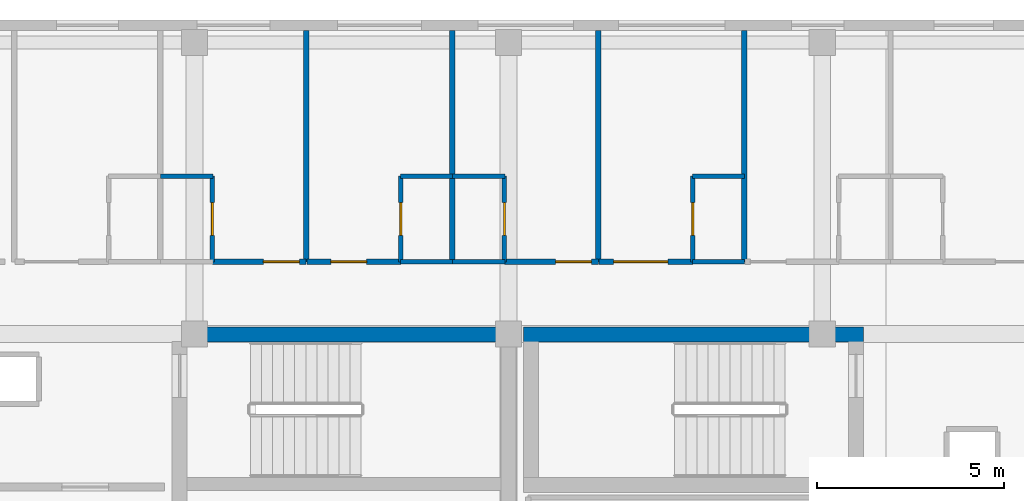
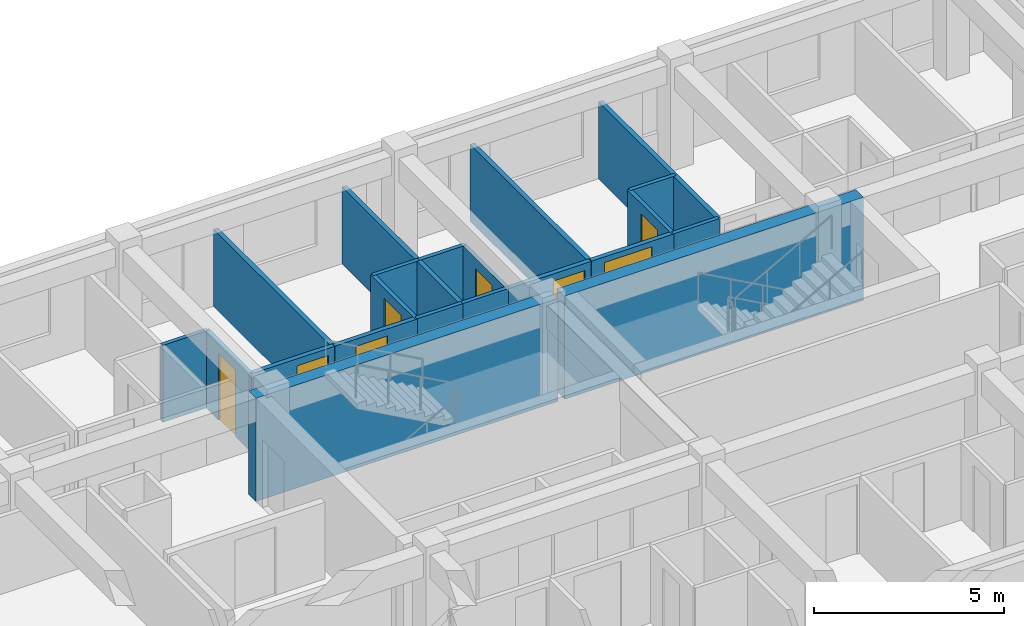
# One storey, part 4 of 11: 21 walls, 8 doors, 8 openings.
"""IFC4 building model written with IfcOpenShell, lengths in metres."""

from ifc_helpers import new_model, si_unit, direction, frame, frame_2d, origin, place, context, subcontext, project, spatial, rectangle, extrude, material, layer, layer_set, type_object, element, fill, save


model = new_model("IFC4")

# Units and contexts
model_context = context("Model", 3, precision=1e-05, world=origin(), true_north=direction((0.0, 1.0)))
body_context = subcontext(model_context, "Body", "Model", "MODEL_VIEW")
ifc_project = project(units=[si_unit("LENGTHUNIT", "METRE"), si_unit("AREAUNIT", "SQUARE_METRE"), si_unit("VOLUMEUNIT", "CUBIC_METRE"), si_unit("PLANEANGLEUNIT", "RADIAN"), si_unit("MASSUNIT", "GRAM", prefix="KILO")], contexts=[model_context])

# Site, building, storey
site_placement = place(None, origin())
site = spatial("IfcSite", under=ifc_project, at=site_placement, CompositionType="ELEMENT")
building_placement = place(site_placement, origin())
building = spatial("IfcBuilding", under=site, at=building_placement, Name="Zayran Congress Hotel", CompositionType="ELEMENT")
storey_placement = place(building_placement, frame((0.0, 0.0, 26.39990234375)))
storey = spatial("IfcBuildingStorey", under=building, at=storey_placement, Name="L06", CompositionType="ELEMENT", Elevation=26.39990234375)

# Walls
ifc_material_1 = material(Name="Concrete C40/50", Category="concrete")
ifc_layer_1 = layer(ifc_material_1, 0.39990234375)
ifc_layer_set_1 = layer_set([ifc_layer_1], Name="Concrete C40/50")
wall_type_1 = type_object("IfcWallType", Name="WL-SH-400", PredefinedType="SHEAR", material=ifc_layer_set_1)
wall_1_placement = place(storey_placement, frame((33.800048828125, 25.5849609375, 0.0), z_axis=(0.0, 0.0, 1.0), x_axis=(-1.0, 0.0, 0.0)))
element("IfcWall", 1, at=wall_1_placement, inside=storey, type_object=wall_type_1, Name="CWALL-C-V5W-L06-N", PredefinedType="SHEAR", context=body_context, shape_type="SweptSolid", body=[
    extrude(rectangle(XDim=9.199951171875, YDim=0.39990234375, at=frame_2d((4.60009765625, 0.0))), origin(), (0.0, 0.0, 1.0), 3.320068359375),
])
wall_2_placement = place(storey_placement, frame((43.10009765625, 25.5849609375, 0.0), z_axis=(0.0, 0.0, 1.0), x_axis=(-1.0, 0.0, 0.0)))
element("IfcWall", 2, at=wall_2_placement, inside=storey, type_object=wall_type_1, Name="CWALL-C-V5M-L06-N", PredefinedType="SHEAR", context=body_context, shape_type="SweptSolid", body=[
    extrude(rectangle(XDim=9.10009765625, YDim=0.39990234375, at=frame_2d((4.550048828125, 0.0))), origin(), (0.0, 0.0, 1.0), 3.320068359375),
])

# Wall, opening, door
ifc_material_2 = material(Name="Hospitality guestroom acoustic partition", Category="gypsum")
ifc_layer_2 = layer(ifc_material_2, 0.139892578125)
ifc_layer_set_2 = layer_set([ifc_layer_2], Name="Hospitality guestroom acoustic partition")
wall_type_2 = type_object("IfcWallType", Name="WL-PT-140", PredefinedType="PARTITIONING", material=ifc_layer_set_2)
wall_3_placement = place(storey_placement, frame((25.676025390625, 27.530029296875, 0.0), z_axis=(0.0, 0.0, 1.0), x_axis=(1.0, 0.0, 0.0)))
wall_3 = element("IfcWall", 3, at=wall_3_placement, inside=storey, type_object=wall_type_2, Name="IW-L06-0709", PredefinedType="PARTITIONING", context=body_context, shape_type="SweptSolid", body=[
    extrude(rectangle(XDim=2.510986328125, YDim=0.139892578125, at=frame_2d((1.25537109375, 0.0))), origin(), (0.0, 0.0, 1.0), 2.47998046875),
])
opening_1_placement = place(wall_3_placement, frame((1.365966796875, 0.0, 0.0)))
opening_1 = element("IfcOpeningElement", 4, at=opening_1_placement, cuts=wall_3, Name="Opening DR-GR-03", PredefinedType="OPENING", context=body_context, shape_type="SweptSolid", body=[
    extrude(rectangle(XDim=0.9599609375, YDim=2.25, at=frame_2d((0.47998046875, 1.125))), frame((0.0, 0.079833984375, 0.0), z_axis=(0.0, -1.0, 0.0), x_axis=(1.0, 0.0, 0.0)), (0.0, 0.0, 1.0), 0.159912109375),
])
ifc_material_3 = material(Name="Executive walnut veneer entry door", Category="wood")
door_type_1 = type_object("IfcDoorType", Name="TP-DR-GR-03", OperationType="NOTDEFINED", PredefinedType="DOOR", material=ifc_material_3)
door_1_placement = place(opening_1_placement, origin())
door_1 = element("IfcDoor", 5, at=door_1_placement, inside=storey, type_object=door_type_1, Name="Guest Room L06-16 Door", OperationType="SINGLE_SWING_RIGHT", OverallHeight=2.25, OverallWidth=0.9599609375, PredefinedType="DOOR", context=body_context, shape_type="SweptSolid", body=[
    extrude(rectangle(XDim=0.9599609375, YDim=2.25, at=frame_2d((0.47998046875, 1.125))), frame((0.0, 0.02490234375, 0.0), z_axis=(0.0, -1.0, 0.0), x_axis=(1.0, 0.0, 0.0)), (0.0, 0.0, 1.0), 0.050048828125),
])
fill(opening_1, door_1)

wall_4_placement = place(storey_placement, frame((28.20703125, 27.530029296875, 0.0), z_axis=(0.0, 0.0, 1.0), x_axis=(1.0, 0.0, 0.0)))
wall_4 = element("IfcWall", 6, at=wall_4_placement, inside=storey, type_object=wall_type_2, Name="IW-L06-0710", PredefinedType="PARTITIONING", context=body_context, shape_type="SweptSolid", body=[
    extrude(rectangle(XDim=2.511962890625, YDim=0.139892578125, at=frame_2d((1.255859375, 0.0))), origin(), (0.0, 0.0, 1.0), 2.47998046875),
])
opening_2_placement = place(wall_4_placement, frame((0.639892578125, 0.0, 0.0)))
opening_2 = element("IfcOpeningElement", 7, at=opening_2_placement, cuts=wall_4, Name="Opening DR-GR-03", PredefinedType="OPENING", context=body_context, shape_type="SweptSolid", body=[
    extrude(rectangle(XDim=0.9599609375, YDim=2.25, at=frame_2d((0.47998046875, 1.125))), frame((0.0, 0.079833984375, 0.0), z_axis=(0.0, -1.0, 0.0), x_axis=(1.0, 0.0, 0.0)), (0.0, 0.0, 1.0), 0.159912109375),
])
door_2_placement = place(opening_2_placement, origin())
door_2 = element("IfcDoor", 8, at=door_2_placement, inside=storey, type_object=door_type_1, Name="Guest Room L06-17 Door", OperationType="SINGLE_SWING_LEFT", OverallHeight=2.25, OverallWidth=0.9599609375, PredefinedType="DOOR", context=body_context, shape_type="SweptSolid", body=[
    extrude(rectangle(XDim=0.9599609375, YDim=2.25, at=frame_2d((0.47998046875, 1.125))), frame((0.0, 0.02490234375, 0.0), z_axis=(0.0, -1.0, 0.0), x_axis=(1.0, 0.0, 0.0)), (0.0, 0.0, 1.0), 0.050048828125),
])
fill(opening_2, door_2)

wall_5_placement = place(storey_placement, frame((33.492919921875, 27.530029296875, 0.0), z_axis=(0.0, 0.0, 1.0), x_axis=(1.0, 0.0, 0.0)))
wall_5 = element("IfcWall", 9, at=wall_5_placement, inside=storey, type_object=wall_type_2, Name="IW-L06-0711", PredefinedType="PARTITIONING", context=body_context, shape_type="SweptSolid", body=[
    extrude(rectangle(XDim=2.510986328125, YDim=0.139892578125, at=frame_2d((1.25537109375, 0.0))), origin(), (0.0, 0.0, 1.0), 2.47998046875),
])
opening_3_placement = place(wall_5_placement, frame((1.365966796875, 0.0, 0.0)))
opening_3 = element("IfcOpeningElement", 10, at=opening_3_placement, cuts=wall_5, Name="Opening DR-GR-03", PredefinedType="OPENING", context=body_context, shape_type="SweptSolid", body=[
    extrude(rectangle(XDim=0.9599609375, YDim=2.25, at=frame_2d((0.47998046875, 1.125))), frame((0.0, 0.079833984375, 0.0), z_axis=(0.0, -1.0, 0.0), x_axis=(1.0, 0.0, 0.0)), (0.0, 0.0, 1.0), 0.159912109375),
])
door_3_placement = place(opening_3_placement, origin())
door_3 = element("IfcDoor", 11, at=door_3_placement, inside=storey, type_object=door_type_1, Name="Guest Room L06-18 Door", OperationType="SINGLE_SWING_RIGHT", OverallHeight=2.25, OverallWidth=0.9599609375, PredefinedType="DOOR", context=body_context, shape_type="SweptSolid", body=[
    extrude(rectangle(XDim=0.9599609375, YDim=2.25, at=frame_2d((0.47998046875, 1.125))), frame((0.0, 0.02490234375, 0.0), z_axis=(0.0, -1.0, 0.0), x_axis=(1.0, 0.0, 0.0)), (0.0, 0.0, 1.0), 0.050048828125),
])
fill(opening_3, door_3)

wall_6_placement = place(storey_placement, frame((36.02392578125, 27.530029296875, 0.0), z_axis=(0.0, 0.0, 1.0), x_axis=(1.0, 0.0, 0.0)))
wall_6 = element("IfcWall", 12, at=wall_6_placement, inside=storey, type_object=wall_type_2, Name="IW-L06-0712", PredefinedType="PARTITIONING", context=body_context, shape_type="SweptSolid", body=[
    extrude(rectangle(XDim=2.511962890625, YDim=0.139892578125, at=frame_2d((1.255859375, 0.0))), origin(), (0.0, 0.0, 1.0), 2.47998046875),
])
opening_4_placement = place(wall_6_placement, frame((0.39111328125, 0.0, 0.0)))
opening_4 = element("IfcOpeningElement", 13, at=opening_4_placement, cuts=wall_6, Name="Opening DR-ST-01", PredefinedType="OPENING", context=body_context, shape_type="SweptSolid", body=[
    extrude(rectangle(XDim=1.449951171875, YDim=2.300048828125, at=frame_2d((0.72509765625, 1.14990234375))), frame((0.0, 0.079833984375, 0.0), z_axis=(0.0, -1.0, 0.0), x_axis=(1.0, 0.0, 0.0)), (0.0, 0.0, 1.0), 0.159912109375),
])
ifc_material_4 = material(Name="Double walnut veneer suite entry door", Category="wood")
door_type_2 = type_object("IfcDoorType", Name="TP-DR-ST-01", OperationType="DOUBLE_DOOR_SINGLE_SWING", PredefinedType="DOOR", material=ifc_material_4)
door_4_placement = place(opening_4_placement, origin())
door_4 = element("IfcDoor", 14, at=door_4_placement, inside=storey, type_object=door_type_2, Name="Executive Suite L06-19 Door", OperationType="DOUBLE_DOOR_SINGLE_SWING", OverallHeight=2.300048828125, OverallWidth=1.449951171875, PredefinedType="DOOR", context=body_context, shape_type="SweptSolid", body=[
    extrude(rectangle(XDim=1.449951171875, YDim=2.300048828125, at=frame_2d((0.72509765625, 1.14990234375))), frame((0.0, 0.02490234375, 0.0), z_axis=(0.0, -1.0, 0.0), x_axis=(1.0, 0.0, 0.0)), (0.0, 0.0, 1.0), 0.050048828125),
])
fill(opening_4, door_4)

# Walls
for number, where, z_axis, x_axis, name in (
    (15, (28.18701171875, 27.52001953125, 0.0), (0.0, 0.0, 1.0), (0.0, 1.0, 0.0), "IW-L06-2039"),
    (16, (32.095947265625, 27.52001953125, 0.0), (0.0, 0.0, 1.0), (0.0, 1.0, 0.0), "IW-L06-2040"),
    (17, (36.00390625, 27.52001953125, 0.0), (0.0, 0.0, 1.0), (0.0, 1.0, 0.0), "IW-L06-2041"),
    (18, (39.9130859375, 27.52001953125, 0.0), (0.0, 0.0, 1.0), (0.0, 1.0, 0.0), "IW-L06-2042"),
):
    element("IfcWall", number, at=place(storey_placement, frame(where, z_axis=z_axis, x_axis=x_axis)), inside=storey, type_object=wall_type_2, Name=name, PredefinedType="PARTITIONING", context=body_context, shape_type="SweptSolid", body=[
        extrude(rectangle(XDim=6.199951171875, YDim=0.139892578125, at=frame_2d((3.10009765625, 0.0))), origin(), (0.0, 0.0, 1.0), 2.47998046875),
    ])

# Wall, opening, door
ifc_material_5 = material(Name="Moisture-resistant bathroom partition", Category="gypsum")
ifc_layer_3 = layer(ifc_material_5, 0.1201171875)
ifc_layer_set_3 = layer_set([ifc_layer_3], Name="Moisture-resistant bathroom partition")
wall_type_3 = type_object("IfcWallType", Name="WL-PT-120", PredefinedType="PARTITIONING", material=ifc_layer_set_3)
wall_7_placement = place(storey_placement, frame((25.676025390625, 27.52001953125, 0.0), z_axis=(0.0, 0.0, 1.0), x_axis=(0.0, 1.0, 0.0)))
wall_7 = element("IfcWall", 19, at=wall_7_placement, inside=storey, type_object=wall_type_3, Name="IW-L06-0206", PredefinedType="PARTITIONING", context=body_context, shape_type="SweptSolid", body=[
    extrude(rectangle(XDim=2.31005859375, YDim=0.1201171875, at=frame_2d((1.155029296875, 0.0))), origin(), (0.0, 0.0, 1.0), 2.47998046875),
])
opening_5_placement = place(wall_7_placement, frame((0.715087890625, 0.0, 0.0)))
opening_5 = element("IfcOpeningElement", 20, at=opening_5_placement, cuts=wall_7, Name="Opening DR-BT-01", PredefinedType="OPENING", context=body_context, shape_type="SweptSolid", body=[
    extrude(rectangle(XDim=0.8798828125, YDim=2.14990234375, at=frame_2d((0.43994140625, 1.074951171875))), frame((0.0, 0.070068359375, 0.0), z_axis=(0.0, -1.0, 0.0), x_axis=(1.0, 0.0, 0.0)), (0.0, 0.0, 1.0), 0.14013671875),
])
ifc_material_6 = material(Name="Moisture-resistant oak en-suite door", Category="wood")
door_type_3 = type_object("IfcDoorType", Name="TP-DR-BT-01", OperationType="NOTDEFINED", PredefinedType="DOOR", material=ifc_material_6)
door_5_placement = place(opening_5_placement, origin())
door_5 = element("IfcDoor", 21, at=door_5_placement, inside=storey, type_object=door_type_3, Name="En-Suite Bathroom L06-16 Door", OperationType="SINGLE_SWING_LEFT", OverallHeight=2.14990234375, OverallWidth=0.8798828125, PredefinedType="DOOR", context=body_context, shape_type="SweptSolid", body=[
    extrude(rectangle(XDim=0.8798828125, YDim=2.14990234375, at=frame_2d((0.43994140625, 1.074951171875))), frame((0.0, 0.02490234375, 0.0), z_axis=(0.0, -1.0, 0.0), x_axis=(1.0, 0.0, 0.0)), (0.0, 0.0, 1.0), 0.050048828125),
])
fill(opening_5, door_5)

wall_8_placement = place(storey_placement, frame((30.718994140625, 27.52001953125, 0.0), z_axis=(0.0, 0.0, 1.0), x_axis=(0.0, 1.0, 0.0)))
wall_8 = element("IfcWall", 22, at=wall_8_placement, inside=storey, type_object=wall_type_3, Name="IW-L06-0207", PredefinedType="PARTITIONING", context=body_context, shape_type="SweptSolid", body=[
    extrude(rectangle(XDim=2.31005859375, YDim=0.1201171875, at=frame_2d((1.155029296875, 0.0))), origin(), (0.0, 0.0, 1.0), 2.47998046875),
])
opening_6_placement = place(wall_8_placement, frame((0.715087890625, 0.0, 0.0)))
opening_6 = element("IfcOpeningElement", 23, at=opening_6_placement, cuts=wall_8, Name="Opening DR-BT-01", PredefinedType="OPENING", context=body_context, shape_type="SweptSolid", body=[
    extrude(rectangle(XDim=0.8798828125, YDim=2.14990234375, at=frame_2d((0.43994140625, 1.074951171875))), frame((0.0, 0.070068359375, 0.0), z_axis=(0.0, -1.0, 0.0), x_axis=(1.0, 0.0, 0.0)), (0.0, 0.0, 1.0), 0.14013671875),
])
door_6_placement = place(opening_6_placement, origin())
door_6 = element("IfcDoor", 24, at=door_6_placement, inside=storey, type_object=door_type_3, Name="En-Suite Bathroom L06-17 Door", OperationType="SINGLE_SWING_RIGHT", OverallHeight=2.14990234375, OverallWidth=0.8798828125, PredefinedType="DOOR", context=body_context, shape_type="SweptSolid", body=[
    extrude(rectangle(XDim=0.8798828125, YDim=2.14990234375, at=frame_2d((0.43994140625, 1.074951171875))), frame((0.0, 0.02490234375, 0.0), z_axis=(0.0, -1.0, 0.0), x_axis=(1.0, 0.0, 0.0)), (0.0, 0.0, 1.0), 0.050048828125),
])
fill(opening_6, door_6)

wall_9_placement = place(storey_placement, frame((33.492919921875, 27.52001953125, 0.0), z_axis=(0.0, 0.0, 1.0), x_axis=(0.0, 1.0, 0.0)))
wall_9 = element("IfcWall", 25, at=wall_9_placement, inside=storey, type_object=wall_type_3, Name="IW-L06-0208", PredefinedType="PARTITIONING", context=body_context, shape_type="SweptSolid", body=[
    extrude(rectangle(XDim=2.31005859375, YDim=0.1201171875, at=frame_2d((1.155029296875, 0.0))), origin(), (0.0, 0.0, 1.0), 2.47998046875),
])
opening_7_placement = place(wall_9_placement, frame((0.715087890625, 0.0, 0.0)))
opening_7 = element("IfcOpeningElement", 26, at=opening_7_placement, cuts=wall_9, Name="Opening DR-BT-01", PredefinedType="OPENING", context=body_context, shape_type="SweptSolid", body=[
    extrude(rectangle(XDim=0.8798828125, YDim=2.14990234375, at=frame_2d((0.43994140625, 1.074951171875))), frame((0.0, 0.070068359375, 0.0), z_axis=(0.0, -1.0, 0.0), x_axis=(1.0, 0.0, 0.0)), (0.0, 0.0, 1.0), 0.14013671875),
])
door_7_placement = place(opening_7_placement, origin())
door_7 = element("IfcDoor", 27, at=door_7_placement, inside=storey, type_object=door_type_3, Name="En-Suite Bathroom L06-18 Door", OperationType="SINGLE_SWING_LEFT", OverallHeight=2.14990234375, OverallWidth=0.8798828125, PredefinedType="DOOR", context=body_context, shape_type="SweptSolid", body=[
    extrude(rectangle(XDim=0.8798828125, YDim=2.14990234375, at=frame_2d((0.43994140625, 1.074951171875))), frame((0.0, 0.02490234375, 0.0), z_axis=(0.0, -1.0, 0.0), x_axis=(1.0, 0.0, 0.0)), (0.0, 0.0, 1.0), 0.050048828125),
])
fill(opening_7, door_7)

wall_10_placement = place(storey_placement, frame((38.535888671875, 27.52001953125, 0.0), z_axis=(0.0, 0.0, 1.0), x_axis=(0.0, 1.0, 0.0)))
wall_10 = element("IfcWall", 28, at=wall_10_placement, inside=storey, type_object=wall_type_3, Name="IW-L06-0209", PredefinedType="PARTITIONING", context=body_context, shape_type="SweptSolid", body=[
    extrude(rectangle(XDim=2.31005859375, YDim=0.1201171875, at=frame_2d((1.155029296875, 0.0))), origin(), (0.0, 0.0, 1.0), 2.47998046875),
])
opening_8_placement = place(wall_10_placement, frame((0.715087890625, 0.0, 0.0)))
opening_8 = element("IfcOpeningElement", 29, at=opening_8_placement, cuts=wall_10, Name="Opening DR-BT-01", PredefinedType="OPENING", context=body_context, shape_type="SweptSolid", body=[
    extrude(rectangle(XDim=0.8798828125, YDim=2.14990234375, at=frame_2d((0.43994140625, 1.074951171875))), frame((0.0, 0.070068359375, 0.0), z_axis=(0.0, -1.0, 0.0), x_axis=(1.0, 0.0, 0.0)), (0.0, 0.0, 1.0), 0.14013671875),
])
door_8_placement = place(opening_8_placement, origin())
door_8 = element("IfcDoor", 30, at=door_8_placement, inside=storey, type_object=door_type_3, Name="En-Suite Bathroom L06-19 Door", OperationType="SINGLE_SWING_RIGHT", OverallHeight=2.14990234375, OverallWidth=0.8798828125, PredefinedType="DOOR", context=body_context, shape_type="SweptSolid", body=[
    extrude(rectangle(XDim=0.8798828125, YDim=2.14990234375, at=frame_2d((0.43994140625, 1.074951171875))), frame((0.0, 0.02490234375, 0.0), z_axis=(0.0, -1.0, 0.0), x_axis=(1.0, 0.0, 0.0)), (0.0, 0.0, 1.0), 0.050048828125),
])
fill(opening_8, door_8)

# Walls
for number, where, z_axis, x_axis, name in (
    (31, (24.2890625, 29.820068359375, 0.0), (0.0, 0.0, 1.0), (1.0, 0.0, 0.0), "IW-L06-1280"),
    (32, (30.708984375, 27.530029296875, 0.0), (0.0, 0.0, 1.0), (1.0, 0.0, 0.0), "IW-L06-1281"),
    (33, (30.708984375, 29.820068359375, 0.0), (0.0, 0.0, 1.0), (1.0, 0.0, 0.0), "IW-L06-1282"),
    (34, (32.10595703125, 27.530029296875, 0.0), (0.0, 0.0, 1.0), (1.0, 0.0, 0.0), "IW-L06-1283"),
    (35, (32.10595703125, 29.820068359375, 0.0), (0.0, 0.0, 1.0), (1.0, 0.0, 0.0), "IW-L06-1284"),
):
    element("IfcWall", number, at=place(storey_placement, frame(where, z_axis=z_axis, x_axis=x_axis)), inside=storey, type_object=wall_type_3, Name=name, PredefinedType="PARTITIONING", context=body_context, shape_type="SweptSolid", body=[
        extrude(rectangle(XDim=1.39697265625, YDim=0.1201171875, at=frame_2d((0.698486328125, 0.0))), origin(), (0.0, 0.0, 1.0), 2.47998046875),
    ])
for number, where, z_axis, x_axis, name in (
    (36, (38.52587890625, 27.530029296875, 0.0), (0.0, 0.0, 1.0), (1.0, 0.0, 0.0), "IW-L06-1285"),
    (37, (38.52587890625, 29.820068359375, 0.0), (0.0, 0.0, 1.0), (1.0, 0.0, 0.0), "IW-L06-1286"),
):
    element("IfcWall", number, at=place(storey_placement, frame(where, z_axis=z_axis, x_axis=x_axis)), inside=storey, type_object=wall_type_3, Name=name, PredefinedType="PARTITIONING", context=body_context, shape_type="SweptSolid", body=[
        extrude(rectangle(XDim=1.397216796875, YDim=0.1201171875, at=frame_2d((0.69873046875, 0.0))), origin(), (0.0, 0.0, 1.0), 2.47998046875),
    ])

save(model, "model.ifc")
